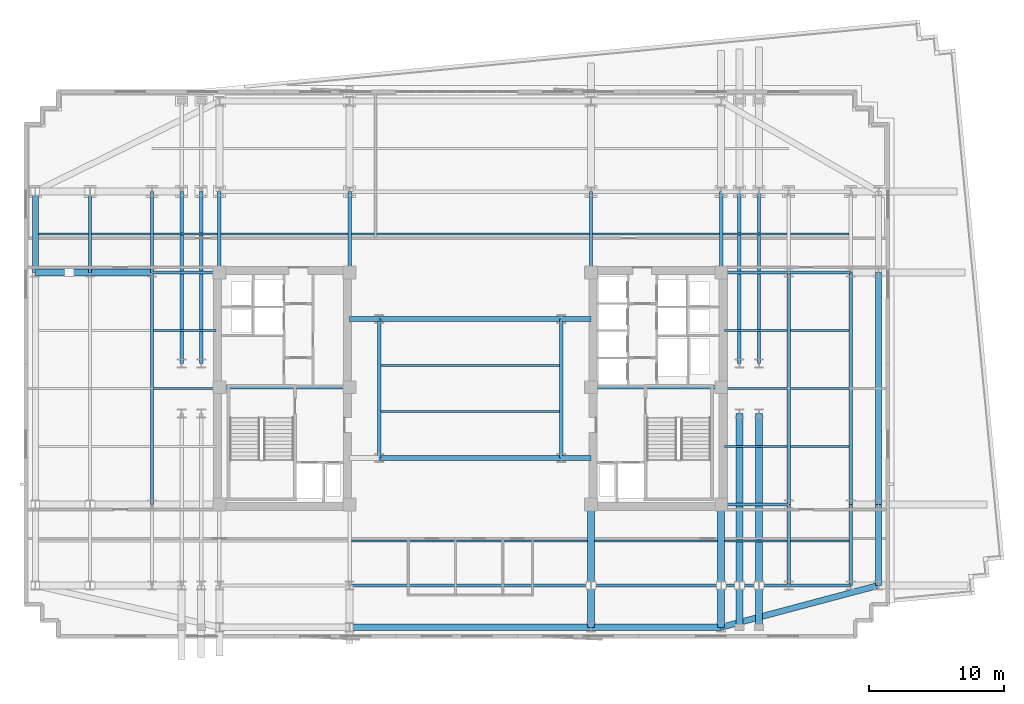
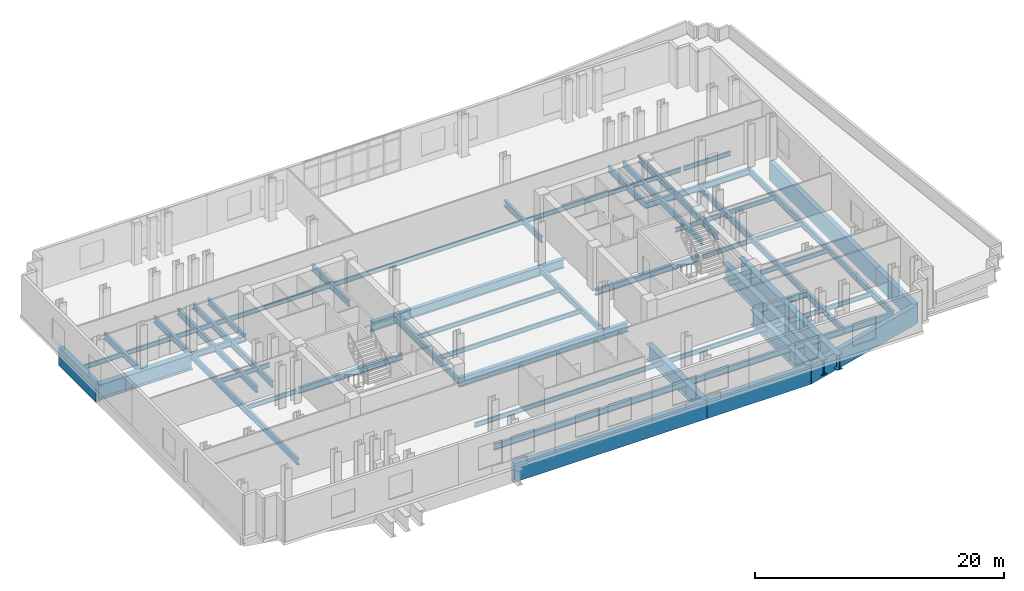
# One storey, part 2 of 14: 70 beams.
"""IFC4 building model written with IfcOpenShell, lengths in metres."""

from ifc_helpers import new_model, si_unit, direction, frame, origin, origin_2d, place, context, subcontext, project, spatial, rectangle, i_section, extrude, material, material_profile, profile_set, type_object, element, save


model = new_model("IFC4")

# Units and contexts
model_context = context("Model", 3, precision=1e-05, world=origin(), true_north=direction((0.0, 1.0)))
body_context = subcontext(model_context, "Body", "Model", "MODEL_VIEW")
ifc_project = project(units=[si_unit("LENGTHUNIT", "METRE"), si_unit("AREAUNIT", "SQUARE_METRE"), si_unit("VOLUMEUNIT", "CUBIC_METRE"), si_unit("PLANEANGLEUNIT", "RADIAN"), si_unit("MASSUNIT", "GRAM", prefix="KILO")], contexts=[model_context])

# Site, building, storey
site_placement = place(None, origin())
site = spatial("IfcSite", under=ifc_project, at=site_placement, CompositionType="ELEMENT")
building_placement = place(site_placement, origin())
building = spatial("IfcBuilding", under=site, at=building_placement, Name="Velakula Bourse", CompositionType="ELEMENT")
storey_placement = place(building_placement, frame((0.0, 0.0, 116.64990234375)))
storey = spatial("IfcBuildingStorey", under=building, at=storey_placement, Name="L31", CompositionType="ELEMENT", Elevation=116.64990234375)

# Beams
ifc_material_1 = material(Name="Steel IS 2062 Grade 350 (E350)", Category="steel")
ifc_material_profile_1 = material_profile(ifc_material_1, i_section(OverallWidth=0.25, OverallDepth=0.60009765625, WebThickness=0.01123046875, FlangeThickness=0.021240234375, at=origin_2d()), Name="Steel IS 2062 Grade 350 (E350)")
ifc_profile_set_1 = profile_set([ifc_material_profile_1], Name="Steel IS 2062 Grade 350 (E350)")
beam_type_1 = type_object("IfcBeamType", Name="BM-GRD-600M", PredefinedType="BEAM", material=ifc_profile_set_1)
for number, where, z_axis, x_axis, name in (
    (1, (-18.60009765625, 0.10009765625, -0.579833984375), (1.0, 0.0, 0.0), (0.0, 1.0, 0.0), "L31 Primary Backbone Girder CRW-M"),
    (2, (8.949951171875, 0.10009765625, -0.579833984375), (1.0, 0.0, 0.0), (0.0, 1.0, 0.0), "L31 Primary Backbone Girder CRE-M"),
):
    element("IfcBeam", number, at=place(storey_placement, frame(where, z_axis=z_axis, x_axis=x_axis)), inside=storey, type_object=beam_type_1, Name=name, PredefinedType="BEAM", context=body_context, shape_type="SweptSolid", body=[
        extrude(i_section(OverallWidth=0.25, OverallDepth=0.60009765625, WebThickness=0.01123046875, FlangeThickness=0.021240234375, at=origin_2d()), origin(), (0.0, 0.0, 1.0), 9.650146484375),
    ])
for number, where, z_axis, x_axis, name in (
    (3, (-6.75, -5.14990234375, -0.579833984375), (0.0, 1.0, 0.0), (-1.0, 0.0, 0.0), "L31 Primary Backbone Girder SPN-W"),
    (4, (6.75, -5.14990234375, -0.579833984375), (0.0, 1.0, 0.0), (-1.0, 0.0, 0.0), "L31 Primary Backbone Girder SPN-E"),
):
    element("IfcBeam", number, at=place(storey_placement, frame(where, z_axis=z_axis, x_axis=x_axis)), inside=storey, type_object=beam_type_1, Name=name, PredefinedType="BEAM", context=body_context, shape_type="SweptSolid", body=[
        extrude(i_section(OverallWidth=0.25, OverallDepth=0.60009765625, WebThickness=0.01123046875, FlangeThickness=0.021240234375, at=origin_2d()), origin(), (0.0, 0.0, 1.0), 10.2998046875),
    ])
for number, where, z_axis, x_axis, name in (
    (5, (-18.60009765625, 8.60009765625, -0.579833984375), (0.0, 1.0, 0.0), (-1.0, 0.0, 0.0), "L31 Fulcrum Grid Girder FLC-WN"),
    (6, (-8.949951171875, 8.60009765625, -0.579833984375), (0.0, 1.0, 0.0), (-1.0, 0.0, 0.0), "L31 Fulcrum Grid Girder FLC-WCN"),
    (7, (8.949951171875, 8.60009765625, -0.579833984375), (0.0, 1.0, 0.0), (-1.0, 0.0, 0.0), "L31 Fulcrum Grid Girder FLC-ECN"),
    (8, (18.60009765625, 8.60009765625, -0.579833984375), (0.0, 1.0, 0.0), (-1.0, 0.0, 0.0), "L31 Fulcrum Grid Girder FLC-EN"),
):
    element("IfcBeam", number, at=place(storey_placement, frame(where, z_axis=z_axis, x_axis=x_axis)), inside=storey, type_object=beam_type_1, Name=name, PredefinedType="BEAM", context=body_context, shape_type="SweptSolid", body=[
        extrude(i_section(OverallWidth=0.25, OverallDepth=0.60009765625, WebThickness=0.01123046875, FlangeThickness=0.021240234375, at=origin_2d()), origin(), (0.0, 0.0, 1.0), 6.0),
    ])
beam_1_placement = place(storey_placement, frame((-8.949951171875, -14.60009765625, -0.579833984375), z_axis=(1.0, 0.0, 0.0), x_axis=(0.0, 1.0, 0.0)))
element("IfcBeam", 9, at=beam_1_placement, inside=storey, type_object=beam_type_1, Name="L31 Fulcrum Grid Girder FLC-S2", PredefinedType="BEAM", context=body_context, shape_type="SweptSolid", body=[
    extrude(i_section(OverallWidth=0.25, OverallDepth=0.60009765625, WebThickness=0.01123046875, FlangeThickness=0.021240234375, at=origin_2d()), origin(), (0.0, 0.0, 1.0), 17.89990234375),
])
beam_2_placement = place(storey_placement, frame((8.949951171875, -14.60009765625, -0.579833984375), z_axis=(1.0, 0.0, 0.0), x_axis=(0.0, 1.0, 0.0)))
element("IfcBeam", 10, at=beam_2_placement, inside=storey, type_object=beam_type_1, Name="L31 Fulcrum Grid Girder FLC-S3", PredefinedType="BEAM", context=body_context, shape_type="SweptSolid", body=[
    extrude(i_section(OverallWidth=0.25, OverallDepth=0.60009765625, WebThickness=0.01123046875, FlangeThickness=0.021240234375, at=origin_2d()), origin(), (0.0, 0.0, 1.0), 9.650146484375),
])
for number, where, z_axis, x_axis, name in (
    (11, (-21.39990234375, 1.85009765625, -0.579833984375), (0.0, 1.0, 0.0), (-1.0, 0.0, 0.0), "L31 Fulcrum Grid Girder FLC-PNW1"),
    (12, (-19.949951171875, 1.85009765625, -0.579833984375), (0.0, 1.0, 0.0), (-1.0, 0.0, 0.0), "L31 Fulcrum Grid Girder FLC-PNW2"),
    (13, (19.949951171875, 1.85009765625, -0.579833984375), (0.0, 1.0, 0.0), (-1.0, 0.0, 0.0), "L31 Fulcrum Grid Girder FLC-PNE1"),
    (14, (21.39990234375, 1.85009765625, -0.579833984375), (0.0, 1.0, 0.0), (-1.0, 0.0, 0.0), "L31 Fulcrum Grid Girder FLC-PNE2"),
):
    element("IfcBeam", number, at=place(storey_placement, frame(where, z_axis=z_axis, x_axis=x_axis)), inside=storey, type_object=beam_type_1, Name=name, PredefinedType="BEAM", context=body_context, shape_type="SweptSolid", body=[
        extrude(i_section(OverallWidth=0.25, OverallDepth=0.60009765625, WebThickness=0.01123046875, FlangeThickness=0.021240234375, at=origin_2d()), origin(), (0.0, 0.0, 1.0), 12.75),
    ])
beam_3_placement = place(storey_placement, frame((-23.60009765625, 8.60009765625, -0.579833984375), z_axis=(1.0, 0.0, 0.0), x_axis=(0.0, 1.0, 0.0)))
element("IfcBeam", 15, at=beam_3_placement, inside=storey, type_object=beam_type_1, Name="L31 Fulcrum Grid Girder MWG-WN1", PredefinedType="BEAM", context=body_context, shape_type="SweptSolid", body=[
    extrude(i_section(OverallWidth=0.25, OverallDepth=0.60009765625, WebThickness=0.01123046875, FlangeThickness=0.021240234375, at=origin_2d()), origin(), (0.0, 0.0, 1.0), 5.0),
])
beam_4_placement = place(storey_placement, frame((-23.60009765625, -8.60009765625, -0.579833984375), z_axis=(0.0, 1.0, 0.0), x_axis=(-1.0, 0.0, 0.0)))
element("IfcBeam", 16, at=beam_4_placement, inside=storey, type_object=beam_type_1, Name="L31 Fulcrum Grid Girder MWG-WNS2", PredefinedType="BEAM", context=body_context, shape_type="SweptSolid", body=[
    extrude(i_section(OverallWidth=0.25, OverallDepth=0.60009765625, WebThickness=0.01123046875, FlangeThickness=0.021240234375, at=origin_2d()), origin(), (0.0, 0.0, 1.0), 17.2001953125),
])
beam_5_placement = place(storey_placement, frame((-23.60009765625, 8.60009765625, -0.579833984375), z_axis=(0.0, 1.0, 0.0), x_axis=(-1.0, 0.0, 0.0)))
element("IfcBeam", 17, at=beam_5_placement, inside=storey, type_object=beam_type_1, Name="L31 Fulcrum Grid Girder MWG-WNS3", PredefinedType="BEAM", context=body_context, shape_type="SweptSolid", body=[
    extrude(i_section(OverallWidth=0.25, OverallDepth=0.60009765625, WebThickness=0.01123046875, FlangeThickness=0.021240234375, at=origin_2d()), origin(), (0.0, 0.0, 1.0), 6.0),
])
for number, where, z_axis, x_axis, name in (
    (18, (18.60009765625, -14.60009765625, -0.579833984375), (1.0, 0.0, 0.0), (0.0, 1.0, 0.0), "L31 Fulcrum Grid Girder MWG-ES1"),
    (19, (18.60009765625, -8.60009765625, -0.579833984375), (1.0, 0.0, 0.0), (0.0, 1.0, 0.0), "L31 Fulcrum Grid Girder MWG-ES2"),
    (20, (18.60009765625, 8.60009765625, -0.579833984375), (1.0, 0.0, 0.0), (0.0, 1.0, 0.0), "L31 Fulcrum Grid Girder MWG-EN1"),
):
    element("IfcBeam", number, at=place(storey_placement, frame(where, z_axis=z_axis, x_axis=x_axis)), inside=storey, type_object=beam_type_1, Name=name, PredefinedType="BEAM", context=body_context, shape_type="SweptSolid", body=[
        extrude(i_section(OverallWidth=0.25, OverallDepth=0.60009765625, WebThickness=0.01123046875, FlangeThickness=0.021240234375, at=origin_2d()), origin(), (0.0, 0.0, 1.0), 5.0),
    ])
beam_6_placement = place(storey_placement, frame((23.60009765625, -14.60009765625, -0.579833984375), z_axis=(0.0, 1.0, 0.0), x_axis=(-1.0, 0.0, 0.0)))
element("IfcBeam", 21, at=beam_6_placement, inside=storey, type_object=beam_type_1, Name="L31 Fulcrum Grid Girder MWG-ENS1", PredefinedType="BEAM", context=body_context, shape_type="SweptSolid", body=[
    extrude(i_section(OverallWidth=0.25, OverallDepth=0.60009765625, WebThickness=0.01123046875, FlangeThickness=0.021240234375, at=origin_2d()), origin(), (0.0, 0.0, 1.0), 6.0),
])
beam_7_placement = place(storey_placement, frame((23.60009765625, -8.60009765625, -0.579833984375), z_axis=(0.0, 1.0, 0.0), x_axis=(-1.0, 0.0, 0.0)))
element("IfcBeam", 22, at=beam_7_placement, inside=storey, type_object=beam_type_1, Name="L31 Fulcrum Grid Girder MWG-ENS2", PredefinedType="BEAM", context=body_context, shape_type="SweptSolid", body=[
    extrude(i_section(OverallWidth=0.25, OverallDepth=0.60009765625, WebThickness=0.01123046875, FlangeThickness=0.021240234375, at=origin_2d()), origin(), (0.0, 0.0, 1.0), 17.2001953125),
])
beam_8_placement = place(storey_placement, frame((-28.199951171875, 8.60009765625, -0.579833984375), z_axis=(0.0, 1.0, 0.0), x_axis=(-1.0, 0.0, 0.0)))
element("IfcBeam", 23, at=beam_8_placement, inside=storey, type_object=beam_type_1, Name="L31 Fulcrum Grid Girder WNG-WNS3", PredefinedType="BEAM", context=body_context, shape_type="SweptSolid", body=[
    extrude(i_section(OverallWidth=0.25, OverallDepth=0.60009765625, WebThickness=0.01123046875, FlangeThickness=0.021240234375, at=origin_2d()), origin(), (0.0, 0.0, 1.0), 6.0),
])
for number, where, z_axis, x_axis, name in (
    (24, (23.60009765625, -14.60009765625, -0.579833984375), (1.0, 0.0, 0.0), (0.0, 1.0, 0.0), "L31 Fulcrum Grid Girder WNG-ES1"),
    (25, (23.60009765625, 8.60009765625, -0.579833984375), (1.0, 0.0, 0.0), (0.0, 1.0, 0.0), "L31 Fulcrum Grid Girder WNG-EN1"),
):
    element("IfcBeam", number, at=place(storey_placement, frame(where, z_axis=z_axis, x_axis=x_axis)), inside=storey, type_object=beam_type_1, Name=name, PredefinedType="BEAM", context=body_context, shape_type="SweptSolid", body=[
        extrude(i_section(OverallWidth=0.25, OverallDepth=0.60009765625, WebThickness=0.01123046875, FlangeThickness=0.021240234375, at=origin_2d()), origin(), (0.0, 0.0, 1.0), 4.599853515625),
    ])
beam_9_placement = place(storey_placement, frame((28.199951171875, -14.60009765625, -0.579833984375), z_axis=(0.0, 1.0, 0.0), x_axis=(-1.0, 0.0, 0.0)))
element("IfcBeam", 26, at=beam_9_placement, inside=storey, type_object=beam_type_1, Name="L31 Fulcrum Grid Girder WNG-ENS1", PredefinedType="BEAM", context=body_context, shape_type="SweptSolid", body=[
    extrude(i_section(OverallWidth=0.25, OverallDepth=0.60009765625, WebThickness=0.01123046875, FlangeThickness=0.021240234375, at=origin_2d()), origin(), (0.0, 0.0, 1.0), 6.0),
])
beam_10_placement = place(storey_placement, frame((28.199951171875, -8.60009765625, -0.579833984375), z_axis=(0.0, 1.0, 0.0), x_axis=(-1.0, 0.0, 0.0)))
element("IfcBeam", 27, at=beam_10_placement, inside=storey, type_object=beam_type_1, Name="L31 Fulcrum Grid Girder WNG-ENS2", PredefinedType="BEAM", context=body_context, shape_type="SweptSolid", body=[
    extrude(i_section(OverallWidth=0.25, OverallDepth=0.60009765625, WebThickness=0.01123046875, FlangeThickness=0.021240234375, at=origin_2d()), origin(), (0.0, 0.0, 1.0), 17.2001953125),
])
ifc_material_profile_2 = material_profile(ifc_material_1, i_section(OverallWidth=0.35009765625, OverallDepth=0.89990234375, WebThickness=0.02001953125, FlangeThickness=0.031982421875, at=origin_2d()), Name="Steel IS 2062 Grade 350 (E350)")
ifc_profile_set_2 = profile_set([ifc_material_profile_2], Name="Steel IS 2062 Grade 350 (E350)")
beam_type_2 = type_object("IfcBeamType", Name="BM-LNK-900", PredefinedType="BEAM", material=ifc_profile_set_2)
beam_11_placement = place(storey_placement, frame((-6.75, -5.14990234375, -0.72998046875), z_axis=(1.0, 0.0, 0.0), x_axis=(0.0, 1.0, 0.0)))
element("IfcBeam", 28, at=beam_11_placement, inside=storey, type_object=beam_type_2, Name="L31 Primary Backbone Girder LNK-S2", PredefinedType="BEAM", context=body_context, shape_type="SweptSolid", body=[
    extrude(i_section(OverallWidth=0.35009765625, OverallDepth=0.89990234375, WebThickness=0.02001953125, FlangeThickness=0.031982421875, at=origin_2d()), origin(), (0.0, 0.0, 1.0), 13.5),
])
for number, where, z_axis, x_axis, name in (
    (29, (6.75, -5.14990234375, -0.72998046875), (1.0, 0.0, 0.0), (0.0, 1.0, 0.0), "L31 Primary Backbone Girder LNK-S3"),
    (30, (-8.949951171875, 5.14990234375, -0.72998046875), (1.0, 0.0, 0.0), (0.0, 1.0, 0.0), "L31 Primary Backbone Girder LNK-N1"),
):
    element("IfcBeam", number, at=place(storey_placement, frame(where, z_axis=z_axis, x_axis=x_axis)), inside=storey, type_object=beam_type_2, Name=name, PredefinedType="BEAM", context=body_context, shape_type="SweptSolid", body=[
        extrude(i_section(OverallWidth=0.35009765625, OverallDepth=0.89990234375, WebThickness=0.02001953125, FlangeThickness=0.031982421875, at=origin_2d()), origin(), (0.0, 0.0, 1.0), 2.199951171875),
    ])
beam_12_placement = place(storey_placement, frame((-6.75, 5.14990234375, -0.72998046875), z_axis=(1.0, 0.0, 0.0), x_axis=(0.0, 1.0, 0.0)))
element("IfcBeam", 31, at=beam_12_placement, inside=storey, type_object=beam_type_2, Name="L31 Primary Backbone Girder LNK-N2", PredefinedType="BEAM", context=body_context, shape_type="SweptSolid", body=[
    extrude(i_section(OverallWidth=0.35009765625, OverallDepth=0.89990234375, WebThickness=0.02001953125, FlangeThickness=0.031982421875, at=origin_2d()), origin(), (0.0, 0.0, 1.0), 13.5),
])
beam_13_placement = place(storey_placement, frame((6.75, 5.14990234375, -0.72998046875), z_axis=(1.0, 0.0, 0.0), x_axis=(0.0, 1.0, 0.0)))
element("IfcBeam", 32, at=beam_13_placement, inside=storey, type_object=beam_type_2, Name="L31 Primary Backbone Girder LNK-N3", PredefinedType="BEAM", context=body_context, shape_type="SweptSolid", body=[
    extrude(i_section(OverallWidth=0.35009765625, OverallDepth=0.89990234375, WebThickness=0.02001953125, FlangeThickness=0.031982421875, at=origin_2d()), origin(), (0.0, 0.0, 1.0), 2.199951171875),
])
ifc_material_profile_3 = material_profile(ifc_material_1, i_section(OverallWidth=0.14990234375, OverallDepth=0.449951171875, WebThickness=0.009521484375, FlangeThickness=0.017333984375, at=origin_2d()), Name="Steel IS 2062 Grade 350 (E350)")
ifc_profile_set_3 = profile_set([ifc_material_profile_3], Name="Steel IS 2062 Grade 350 (E350)")
beam_type_3 = type_object("IfcBeamType", Name="JST-TWR-450", PredefinedType="JOIST", material=ifc_profile_set_3)
beam_14_placement = place(storey_placement, frame((-8.824951171875, -11.300048828125, -0.5048828125), z_axis=(1.0, 0.0, 0.0), x_axis=(0.0, 1.0, 0.0)))
element("IfcBeam", 33, at=beam_14_placement, inside=storey, type_object=beam_type_3, Name="L31 Trading Floor Composite Joist 05", PredefinedType="JOIST", context=body_context, shape_type="SweptSolid", body=[
    extrude(i_section(OverallWidth=0.14990234375, OverallDepth=0.449951171875, WebThickness=0.009521484375, FlangeThickness=0.017333984375, at=origin_2d()), origin(), (0.0, 0.0, 1.0), 17.514892578125),
])
beam_15_placement = place(storey_placement, frame((9.2099609375, -11.300048828125, -0.5048828125), z_axis=(1.0, 0.0, 0.0), x_axis=(0.0, 1.0, 0.0)))
element("IfcBeam", 34, at=beam_15_placement, inside=storey, type_object=beam_type_3, Name="L31 Trading Floor Composite Joist 06", PredefinedType="JOIST", context=body_context, shape_type="SweptSolid", body=[
    extrude(i_section(OverallWidth=0.14990234375, OverallDepth=0.449951171875, WebThickness=0.009521484375, FlangeThickness=0.017333984375, at=origin_2d()), origin(), (0.0, 0.0, 1.0), 9.130126953125),
])
beam_16_placement = place(storey_placement, frame((18.860107421875, -11.300048828125, -0.5048828125), z_axis=(1.0, 0.0, 0.0), x_axis=(0.0, 1.0, 0.0)))
element("IfcBeam", 35, at=beam_16_placement, inside=storey, type_object=beam_type_3, Name="L31 Trading Floor Composite Joist 07", PredefinedType="JOIST", context=body_context, shape_type="SweptSolid", body=[
    extrude(i_section(OverallWidth=0.14990234375, OverallDepth=0.449951171875, WebThickness=0.009521484375, FlangeThickness=0.017333984375, at=origin_2d()), origin(), (0.0, 0.0, 1.0), 4.614990234375),
])
beam_17_placement = place(storey_placement, frame((23.72509765625, -11.300048828125, -0.5048828125), z_axis=(1.0, 0.0, 0.0), x_axis=(0.0, 1.0, 0.0)))
element("IfcBeam", 36, at=beam_17_placement, inside=storey, type_object=beam_type_3, Name="L31 Trading Floor Composite Joist 08", PredefinedType="JOIST", context=body_context, shape_type="SweptSolid", body=[
    extrude(i_section(OverallWidth=0.14990234375, OverallDepth=0.449951171875, WebThickness=0.009521484375, FlangeThickness=0.017333984375, at=origin_2d()), origin(), (0.0, 0.0, 1.0), 4.349853515625),
])
beam_18_placement = place(storey_placement, frame((-32.02490234375, 11.449951171875, -0.5048828125), z_axis=(1.0, 0.0, 0.0), x_axis=(0.0, 1.0, 0.0)))
element("IfcBeam", 37, at=beam_18_placement, inside=storey, type_object=beam_type_3, Name="L31 Trading Floor Composite Joist 09", PredefinedType="JOIST", context=body_context, shape_type="SweptSolid", body=[
    extrude(i_section(OverallWidth=0.14990234375, OverallDepth=0.449951171875, WebThickness=0.009521484375, FlangeThickness=0.017333984375, at=origin_2d()), origin(), (0.0, 0.0, 1.0), 3.699951171875),
])
beam_19_placement = place(storey_placement, frame((-28.074951171875, 11.449951171875, -0.5048828125), z_axis=(1.0, 0.0, 0.0), x_axis=(0.0, 1.0, 0.0)))
element("IfcBeam", 38, at=beam_19_placement, inside=storey, type_object=beam_type_3, Name="L31 Trading Floor Composite Joist 10", PredefinedType="JOIST", context=body_context, shape_type="SweptSolid", body=[
    extrude(i_section(OverallWidth=0.14990234375, OverallDepth=0.449951171875, WebThickness=0.009521484375, FlangeThickness=0.017333984375, at=origin_2d()), origin(), (0.0, 0.0, 1.0), 4.349853515625),
])
beam_20_placement = place(storey_placement, frame((-23.47509765625, 11.449951171875, -0.5048828125), z_axis=(1.0, 0.0, 0.0), x_axis=(0.0, 1.0, 0.0)))
element("IfcBeam", 39, at=beam_20_placement, inside=storey, type_object=beam_type_3, Name="L31 Trading Floor Composite Joist 11", PredefinedType="JOIST", context=body_context, shape_type="SweptSolid", body=[
    extrude(i_section(OverallWidth=0.14990234375, OverallDepth=0.449951171875, WebThickness=0.009521484375, FlangeThickness=0.017333984375, at=origin_2d()), origin(), (0.0, 0.0, 1.0), 4.75),
])
beam_21_placement = place(storey_placement, frame((-18.47509765625, 11.449951171875, -0.5048828125), z_axis=(1.0, 0.0, 0.0), x_axis=(0.0, 1.0, 0.0)))
element("IfcBeam", 40, at=beam_21_placement, inside=storey, type_object=beam_type_3, Name="L31 Trading Floor Composite Joist 12", PredefinedType="JOIST", context=body_context, shape_type="SweptSolid", body=[
    extrude(i_section(OverallWidth=0.14990234375, OverallDepth=0.449951171875, WebThickness=0.009521484375, FlangeThickness=0.017333984375, at=origin_2d()), origin(), (0.0, 0.0, 1.0), 9.400146484375),
])
beam_22_placement = place(storey_placement, frame((-8.824951171875, 11.449951171875, -0.5048828125), z_axis=(1.0, 0.0, 0.0), x_axis=(0.0, 1.0, 0.0)))
element("IfcBeam", 41, at=beam_22_placement, inside=storey, type_object=beam_type_3, Name="L31 Trading Floor Composite Joist 13", PredefinedType="JOIST", context=body_context, shape_type="SweptSolid", body=[
    extrude(i_section(OverallWidth=0.14990234375, OverallDepth=0.449951171875, WebThickness=0.009521484375, FlangeThickness=0.017333984375, at=origin_2d()), origin(), (0.0, 0.0, 1.0), 17.64990234375),
])
beam_23_placement = place(storey_placement, frame((9.074951171875, 11.449951171875, -0.5048828125), z_axis=(1.0, 0.0, 0.0), x_axis=(0.0, 1.0, 0.0)))
element("IfcBeam", 42, at=beam_23_placement, inside=storey, type_object=beam_type_3, Name="L31 Trading Floor Composite Joist 14", PredefinedType="JOIST", context=body_context, shape_type="SweptSolid", body=[
    extrude(i_section(OverallWidth=0.14990234375, OverallDepth=0.449951171875, WebThickness=0.009521484375, FlangeThickness=0.017333984375, at=origin_2d()), origin(), (0.0, 0.0, 1.0), 9.400146484375),
])
beam_24_placement = place(storey_placement, frame((18.72509765625, 11.449951171875, -0.5048828125), z_axis=(1.0, 0.0, 0.0), x_axis=(0.0, 1.0, 0.0)))
element("IfcBeam", 43, at=beam_24_placement, inside=storey, type_object=beam_type_3, Name="L31 Trading Floor Composite Joist 15", PredefinedType="JOIST", context=body_context, shape_type="SweptSolid", body=[
    extrude(i_section(OverallWidth=0.14990234375, OverallDepth=0.449951171875, WebThickness=0.009521484375, FlangeThickness=0.017333984375, at=origin_2d()), origin(), (0.0, 0.0, 1.0), 4.75),
])
beam_25_placement = place(storey_placement, frame((23.72509765625, 11.449951171875, -0.5048828125), z_axis=(1.0, 0.0, 0.0), x_axis=(0.0, 1.0, 0.0)))
element("IfcBeam", 44, at=beam_25_placement, inside=storey, type_object=beam_type_3, Name="L31 Trading Floor Composite Joist 16", PredefinedType="JOIST", context=body_context, shape_type="SweptSolid", body=[
    extrude(i_section(OverallWidth=0.14990234375, OverallDepth=0.449951171875, WebThickness=0.009521484375, FlangeThickness=0.017333984375, at=origin_2d()), origin(), (0.0, 0.0, 1.0), 4.349853515625),
])
for number, where, z_axis, x_axis, name in (
    (45, (-6.625, -1.699951171875, -0.5048828125), (1.0, 0.0, 0.0), (0.0, 1.0, 0.0), "L31 Trading Floor Composite Joist 25"),
    (46, (-6.625, 1.699951171875, -0.5048828125), (1.0, 0.0, 0.0), (0.0, 1.0, 0.0), "L31 Trading Floor Composite Joist 26"),
):
    element("IfcBeam", number, at=place(storey_placement, frame(where, z_axis=z_axis, x_axis=x_axis)), inside=storey, type_object=beam_type_3, Name=name, PredefinedType="JOIST", context=body_context, shape_type="SweptSolid", body=[
        extrude(i_section(OverallWidth=0.14990234375, OverallDepth=0.449951171875, WebThickness=0.009521484375, FlangeThickness=0.017333984375, at=origin_2d()), origin(), (0.0, 0.0, 1.0), 13.25),
    ])
beam_26_placement = place(storey_placement, frame((18.85009765625, -4.300048828125, -0.5048828125), z_axis=(1.0, 0.0, 0.0), x_axis=(0.0, 1.0, 0.0)))
element("IfcBeam", 47, at=beam_26_placement, inside=storey, type_object=beam_type_3, Name="L31 Trading Floor Composite Joist 30", PredefinedType="JOIST", context=body_context, shape_type="SweptSolid", body=[
    extrude(i_section(OverallWidth=0.14990234375, OverallDepth=0.449951171875, WebThickness=0.009521484375, FlangeThickness=0.017333984375, at=origin_2d()), origin(), (0.0, 0.0, 1.0), 4.625),
])
beam_27_placement = place(storey_placement, frame((23.72509765625, -4.300048828125, -0.5048828125), z_axis=(1.0, 0.0, 0.0), x_axis=(0.0, 1.0, 0.0)))
element("IfcBeam", 48, at=beam_27_placement, inside=storey, type_object=beam_type_3, Name="L31 Trading Floor Composite Joist 31", PredefinedType="JOIST", context=body_context, shape_type="SweptSolid", body=[
    extrude(i_section(OverallWidth=0.14990234375, OverallDepth=0.449951171875, WebThickness=0.009521484375, FlangeThickness=0.017333984375, at=origin_2d()), origin(), (0.0, 0.0, 1.0), 4.349853515625),
])
for number, where, z_axis, x_axis, name in (
    (49, (-23.47509765625, 0.0, -0.5048828125), (1.0, 0.0, 0.0), (0.0, 1.0, 0.0), "L31 Trading Floor Composite Joist 34"),
    (50, (18.85009765625, 0.0, -0.5048828125), (1.0, 0.0, 0.0), (0.0, 1.0, 0.0), "L31 Trading Floor Composite Joist 35"),
):
    element("IfcBeam", number, at=place(storey_placement, frame(where, z_axis=z_axis, x_axis=x_axis)), inside=storey, type_object=beam_type_3, Name=name, PredefinedType="JOIST", context=body_context, shape_type="SweptSolid", body=[
        extrude(i_section(OverallWidth=0.14990234375, OverallDepth=0.449951171875, WebThickness=0.009521484375, FlangeThickness=0.017333984375, at=origin_2d()), origin(), (0.0, 0.0, 1.0), 4.625),
    ])
beam_28_placement = place(storey_placement, frame((23.72509765625, 0.0, -0.5048828125), z_axis=(1.0, 0.0, 0.0), x_axis=(0.0, 1.0, 0.0)))
element("IfcBeam", 51, at=beam_28_placement, inside=storey, type_object=beam_type_3, Name="L31 Trading Floor Composite Joist 36", PredefinedType="JOIST", context=body_context, shape_type="SweptSolid", body=[
    extrude(i_section(OverallWidth=0.14990234375, OverallDepth=0.449951171875, WebThickness=0.009521484375, FlangeThickness=0.017333984375, at=origin_2d()), origin(), (0.0, 0.0, 1.0), 4.349853515625),
])
for number, where, z_axis, x_axis, name in (
    (52, (-23.47509765625, 4.300048828125, -0.5048828125), (1.0, 0.0, 0.0), (0.0, 1.0, 0.0), "L31 Trading Floor Composite Joist 39"),
    (53, (18.85009765625, 4.300048828125, -0.5048828125), (1.0, 0.0, 0.0), (0.0, 1.0, 0.0), "L31 Trading Floor Composite Joist 40"),
):
    element("IfcBeam", number, at=place(storey_placement, frame(where, z_axis=z_axis, x_axis=x_axis)), inside=storey, type_object=beam_type_3, Name=name, PredefinedType="JOIST", context=body_context, shape_type="SweptSolid", body=[
        extrude(i_section(OverallWidth=0.14990234375, OverallDepth=0.449951171875, WebThickness=0.009521484375, FlangeThickness=0.017333984375, at=origin_2d()), origin(), (0.0, 0.0, 1.0), 4.625),
    ])
beam_29_placement = place(storey_placement, frame((23.72509765625, 4.300048828125, -0.5048828125), z_axis=(1.0, 0.0, 0.0), x_axis=(0.0, 1.0, 0.0)))
element("IfcBeam", 54, at=beam_29_placement, inside=storey, type_object=beam_type_3, Name="L31 Trading Floor Composite Joist 41", PredefinedType="JOIST", context=body_context, shape_type="SweptSolid", body=[
    extrude(i_section(OverallWidth=0.14990234375, OverallDepth=0.449951171875, WebThickness=0.009521484375, FlangeThickness=0.017333984375, at=origin_2d()), origin(), (0.0, 0.0, 1.0), 4.349853515625),
])
ifc_material_2 = material(Name="Concrete M50 (fck 50 MPa)", Category="concrete")
ifc_material_profile_4 = material_profile(ifc_material_2, rectangle(XDim=0.449951171875, YDim=1.800048828125, at=origin_2d()), Name="Concrete M50 (fck 50 MPa)")
ifc_profile_set_4 = profile_set([ifc_material_profile_4], Name="Concrete M50 (fck 50 MPa)")
beam_type_4 = type_object("IfcBeamType", Name="SPN-TRF-1800", PredefinedType="SPANDREL", material=ifc_profile_set_4)
beam_30_placement = place(storey_placement, frame((-8.949951171875, -17.699951171875, -1.179931640625), z_axis=(1.0, 0.0, 0.0), x_axis=(0.0, 1.0, 0.0)))
element("IfcBeam", 55, at=beam_30_placement, inside=storey, type_object=beam_type_4, Name="L31 Brick-Faced Precast Spandrel S2-S3", PredefinedType="SPANDREL", context=body_context, shape_type="SweptSolid", body=[
    extrude(rectangle(XDim=0.449951171875, YDim=1.800048828125, at=origin_2d()), origin(), (0.0, 0.0, 1.0), 17.89990234375),
])
beam_31_placement = place(storey_placement, frame((8.949951171875, -17.699951171875, -1.179931640625), z_axis=(1.0, 0.0, 0.0), x_axis=(0.0, 1.0, 0.0)))
element("IfcBeam", 56, at=beam_31_placement, inside=storey, type_object=beam_type_4, Name="L31 Brick-Faced Precast Spandrel S3-S4", PredefinedType="SPANDREL", context=body_context, shape_type="SweptSolid", body=[
    extrude(rectangle(XDim=0.449951171875, YDim=1.800048828125, at=origin_2d()), origin(), (0.0, 0.0, 1.0), 9.650146484375),
])
for number, where, z_axis, x_axis, name in (
    (57, (-32.25, 8.60009765625, -1.179931640625), (0.0, 1.0, 0.0), (-1.0, 0.0, 0.0), "L31 Brick-Faced Precast Spandrel W3-W4"),
    (58, (30.25, -14.60009765625, -1.179931640625), (0.0, 1.0, 0.0), (-1.0, 0.0, 0.0), "L31 Brick-Faced Precast Spandrel E1-E2"),
):
    element("IfcBeam", number, at=place(storey_placement, frame(where, z_axis=z_axis, x_axis=x_axis)), inside=storey, type_object=beam_type_4, Name=name, PredefinedType="SPANDREL", context=body_context, shape_type="SweptSolid", body=[
        extrude(rectangle(XDim=0.449951171875, YDim=1.800048828125, at=origin_2d()), origin(), (0.0, 0.0, 1.0), 6.0),
    ])
beam_32_placement = place(storey_placement, frame((30.25, -8.60009765625, -1.179931640625), z_axis=(0.0, 1.0, 0.0), x_axis=(-1.0, 0.0, 0.0)))
element("IfcBeam", 59, at=beam_32_placement, inside=storey, type_object=beam_type_4, Name="L31 Brick-Faced Precast Spandrel E2-E3", PredefinedType="SPANDREL", context=body_context, shape_type="SweptSolid", body=[
    extrude(rectangle(XDim=0.449951171875, YDim=1.800048828125, at=origin_2d()), origin(), (0.0, 0.0, 1.0), 17.2001953125),
])
beam_33_placement = place(storey_placement, frame((18.60009765625, -17.699951171875, -1.179931640625), z_axis=(0.966374962557, 0.257136990226, 0.0), x_axis=(-0.257136990226, 0.966374962557, 0.0)))
element("IfcBeam", 60, at=beam_33_placement, inside=storey, type_object=beam_type_4, Name="L31 Brick-Faced Precast Spandrel S4-E1", PredefinedType="SPANDREL", context=body_context, shape_type="SweptSolid", body=[
    extrude(rectangle(XDim=0.449951171875, YDim=1.800048828125, at=origin_2d()), origin(), (0.0, 0.0, 1.0), 12.05517578125),
])
ifc_material_3 = material(Name="Steel IS 2062 Grade 450 (E450)", Category="steel")
ifc_material_profile_5 = material_profile(ifc_material_3, i_section(OverallWidth=0.52001953125, OverallDepth=1.5, WebThickness=0.030029296875, FlangeThickness=0.048095703125, at=origin_2d()), Name="Steel IS 2062 Grade 450 (E450)")
ifc_profile_set_5 = profile_set([ifc_material_profile_5], Name="Steel IS 2062 Grade 450 (E450)")
beam_type_5 = type_object("IfcBeamType", Name="TB-CANT-1500", PredefinedType="BEAM", material=ifc_profile_set_5)
beam_34_placement = place(storey_placement, frame((8.949951171875, -8.60009765625, -1.02978515625), z_axis=(0.0, -1.0, 0.0), x_axis=(1.0, 0.0, 0.0)))
element("IfcBeam", 61, at=beam_34_placement, inside=storey, type_object=beam_type_5, Name="L31 Collinear Transfer Back-Span Girder S3", PredefinedType="BEAM", context=body_context, shape_type="SweptSolid", body=[
    extrude(i_section(OverallWidth=0.52001953125, OverallDepth=1.5, WebThickness=0.030029296875, FlangeThickness=0.048095703125, at=origin_2d()), origin(), (0.0, 0.0, 1.0), 6.0),
])
beam_35_placement = place(storey_placement, frame((8.949951171875, -14.60009765625, -1.02978515625), z_axis=(0.0, -1.0, 0.0), x_axis=(1.0, 0.0, 0.0)))
element("IfcBeam", 62, at=beam_35_placement, inside=storey, type_object=beam_type_5, Name="L31 Primary Cantilever Transfer Chord S3", PredefinedType="BEAM", context=body_context, shape_type="SweptSolid", body=[
    extrude(i_section(OverallWidth=0.52001953125, OverallDepth=1.5, WebThickness=0.030029296875, FlangeThickness=0.048095703125, at=origin_2d()), origin(), (0.0, 0.0, 1.0), 3.099853515625),
])
beam_36_placement = place(storey_placement, frame((18.60009765625, -8.60009765625, -1.02978515625), z_axis=(0.0, -1.0, 0.0), x_axis=(1.0, 0.0, 0.0)))
element("IfcBeam", 63, at=beam_36_placement, inside=storey, type_object=beam_type_5, Name="L31 Collinear Transfer Back-Span Girder S4", PredefinedType="BEAM", context=body_context, shape_type="SweptSolid", body=[
    extrude(i_section(OverallWidth=0.52001953125, OverallDepth=1.5, WebThickness=0.030029296875, FlangeThickness=0.048095703125, at=origin_2d()), origin(), (0.0, 0.0, 1.0), 6.0),
])
beam_37_placement = place(storey_placement, frame((18.60009765625, -14.60009765625, -1.02978515625), z_axis=(0.0, -1.0, 0.0), x_axis=(1.0, 0.0, 0.0)))
element("IfcBeam", 64, at=beam_37_placement, inside=storey, type_object=beam_type_5, Name="L31 Primary Cantilever Transfer Chord S4", PredefinedType="BEAM", context=body_context, shape_type="SweptSolid", body=[
    extrude(i_section(OverallWidth=0.52001953125, OverallDepth=1.5, WebThickness=0.030029296875, FlangeThickness=0.048095703125, at=origin_2d()), origin(), (0.0, 0.0, 1.0), 3.099853515625),
])
beam_38_placement = place(storey_placement, frame((-23.60009765625, 8.60009765625, -1.02978515625), z_axis=(-1.0, 0.0, 0.0), x_axis=(0.0, -1.0, 0.0)))
element("IfcBeam", 65, at=beam_38_placement, inside=storey, type_object=beam_type_5, Name="L31 Collinear Transfer Back-Span Girder W3", PredefinedType="BEAM", context=body_context, shape_type="SweptSolid", body=[
    extrude(i_section(OverallWidth=0.52001953125, OverallDepth=1.5, WebThickness=0.030029296875, FlangeThickness=0.048095703125, at=origin_2d()), origin(), (0.0, 0.0, 1.0), 6.14208984375),
])
beam_39_placement = place(storey_placement, frame((-29.7421875, 8.60009765625, -1.02978515625), z_axis=(-1.0, 0.0, 0.0), x_axis=(0.0, -1.0, 0.0)))
element("IfcBeam", 66, at=beam_39_placement, inside=storey, type_object=beam_type_5, Name="L31 Primary Cantilever Transfer Chord W3", PredefinedType="BEAM", context=body_context, shape_type="SweptSolid", body=[
    extrude(i_section(OverallWidth=0.52001953125, OverallDepth=1.5, WebThickness=0.030029296875, FlangeThickness=0.048095703125, at=origin_2d()), origin(), (0.0, 0.0, 1.0), 2.5078125),
])
beam_40_placement = place(storey_placement, frame((19.949951171875, -1.85009765625, -1.02978515625), z_axis=(0.0, -1.0, 0.0), x_axis=(1.0, 0.0, 0.0)))
element("IfcBeam", 67, at=beam_40_placement, inside=storey, type_object=beam_type_5, Name="L31 Collinear Transfer Back-Span Girder P03", PredefinedType="BEAM", context=body_context, shape_type="SweptSolid", body=[
    extrude(i_section(OverallWidth=0.52001953125, OverallDepth=1.5, WebThickness=0.030029296875, FlangeThickness=0.048095703125, at=origin_2d()), origin(), (0.0, 0.0, 1.0), 12.75),
])
beam_41_placement = place(storey_placement, frame((19.949951171875, -14.60009765625, -1.02978515625), z_axis=(0.0, -1.0, 0.0), x_axis=(1.0, 0.0, 0.0)))
element("IfcBeam", 68, at=beam_41_placement, inside=storey, type_object=beam_type_5, Name="L31 Primary Cantilever Transfer Chord P03", PredefinedType="BEAM", context=body_context, shape_type="SweptSolid", body=[
    extrude(i_section(OverallWidth=0.52001953125, OverallDepth=1.5, WebThickness=0.030029296875, FlangeThickness=0.048095703125, at=origin_2d()), origin(), (0.0, 0.0, 1.0), 3.099853515625),
])
beam_42_placement = place(storey_placement, frame((21.39990234375, -1.85009765625, -1.02978515625), z_axis=(0.0, -1.0, 0.0), x_axis=(1.0, 0.0, 0.0)))
element("IfcBeam", 69, at=beam_42_placement, inside=storey, type_object=beam_type_5, Name="L31 Collinear Transfer Back-Span Girder P04", PredefinedType="BEAM", context=body_context, shape_type="SweptSolid", body=[
    extrude(i_section(OverallWidth=0.52001953125, OverallDepth=1.5, WebThickness=0.030029296875, FlangeThickness=0.048095703125, at=origin_2d()), origin(), (0.0, 0.0, 1.0), 12.75),
])
beam_43_placement = place(storey_placement, frame((21.39990234375, -14.60009765625, -1.02978515625), z_axis=(0.0, -1.0, 0.0), x_axis=(1.0, 0.0, 0.0)))
element("IfcBeam", 70, at=beam_43_placement, inside=storey, type_object=beam_type_5, Name="L31 Primary Cantilever Transfer Chord P04", PredefinedType="BEAM", context=body_context, shape_type="SweptSolid", body=[
    extrude(i_section(OverallWidth=0.52001953125, OverallDepth=1.5, WebThickness=0.030029296875, FlangeThickness=0.048095703125, at=origin_2d()), origin(), (0.0, 0.0, 1.0), 3.099853515625),
])

save(model, "model.ifc")
